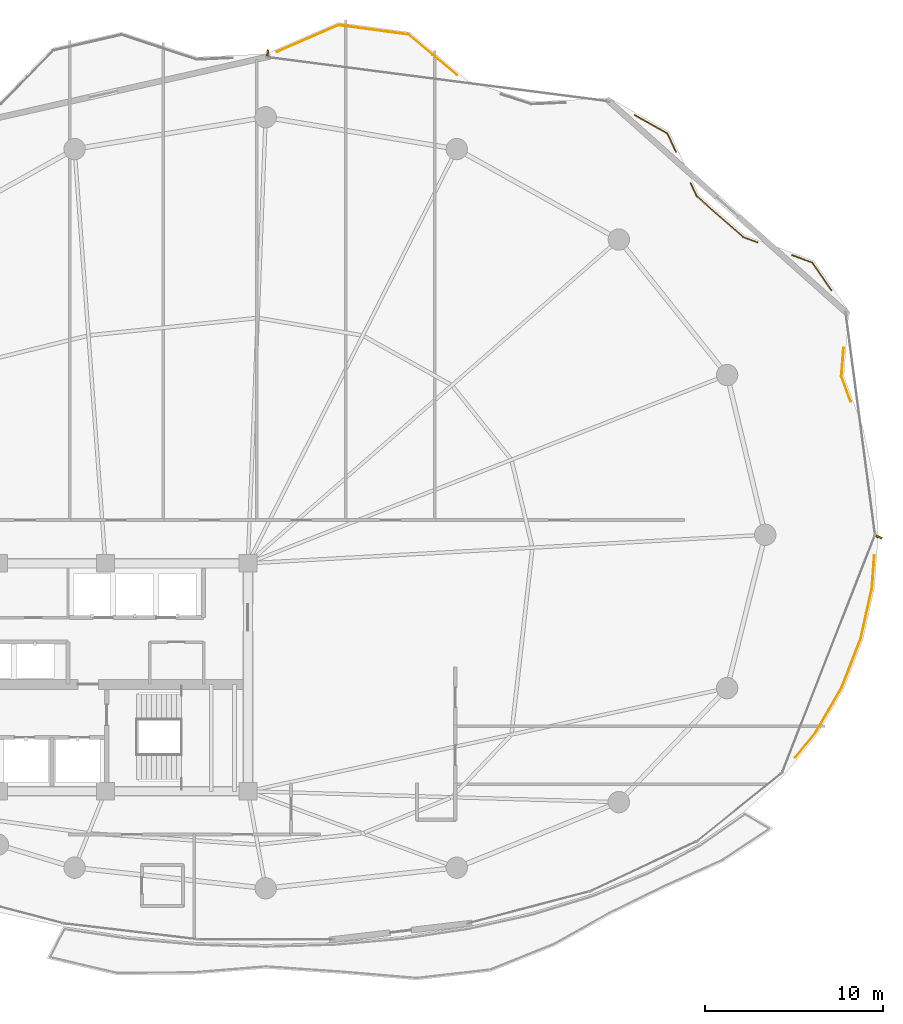
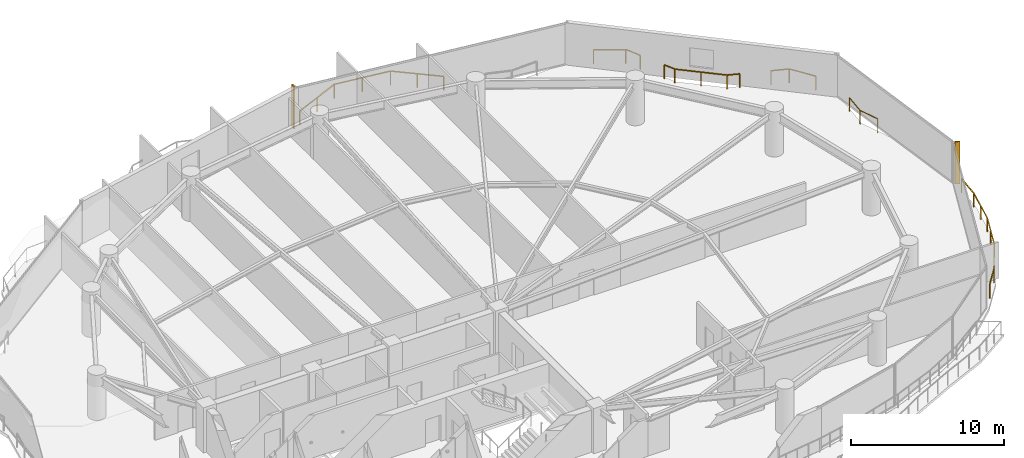
# One storey, part 33 of 33: 6 railings, 2 shading devices.
"""IFC4 building model written with IfcOpenShell, lengths in metres."""

import ifcopenshell
import ifcopenshell.guid

model = None  # the IFC model being written
_history = None  # IfcOwnerHistory: only IFC2X3 demands one
_inside = {}  # id of a spatial element -> (the spatial element, [elements in it])
_under = {}  # id of a project, library or spatial element -> (it, [spatial elements below it])
_declared = {}  # id of a project -> (the project, [libraries it declares])
_typed = {}  # id of a type object -> (the type object, [elements of that type])
_made_of = {}  # id of a material, layer set ... -> (it, [elements and type objects made of it])


def new_model(schema):
    """Start an empty IFC model of exactly this schema.

    Asked for "IFC4X3", IfcOpenShell would pick the latest addendum, in which some entities
    have other attributes; the version numbers below select the first issue.
    IFC2X3 requires an IfcOwnerHistory on every rooted entity: one is made here for all.
    """
    global model, _history
    if schema == "IFC4X3":
        model = ifcopenshell.file(schema_version=(4, 3, 0, 0))
    else:
        model = ifcopenshell.file(schema=schema)
    _inside.clear()
    _under.clear()
    _declared.clear()
    _typed.clear()
    _made_of.clear()
    _history = None
    if model.schema == "IFC2X3":
        org = make("IfcOrganization", Name="unknown")
        user = make(
            "IfcPersonAndOrganization",
            ThePerson=make("IfcPerson", FamilyName="unknown"),
            TheOrganization=org,
        )
        app = make(
            "IfcApplication",
            ApplicationDeveloper=org,
            Version="unknown",
            ApplicationFullName="unknown",
            ApplicationIdentifier="unknown",
        )
        _history = make(
            "IfcOwnerHistory",
            OwningUser=user,
            OwningApplication=app,
            ChangeAction="ADDED",
            CreationDate=0,
        )
    return model


def make(cls, **values):
    """One entity of the class cls with the attributes given. An attribute that is None is left unset."""
    return model.create_entity(
        cls, **{name: value for name, value in values.items() if value is not None}
    )


def rooted(cls, **values):
    """An entity with a GlobalId (a new one), such as an element, a storey or a relation."""
    return make(cls, GlobalId=ifcopenshell.guid.new(), OwnerHistory=_history, **values)


def si_unit(unit_type, name, prefix=None):
    """IfcSIUnit, for example si_unit("LENGTHUNIT", "METRE", prefix="MILLI")."""
    return make("IfcSIUnit", UnitType=unit_type, Prefix=prefix, Name=name)


def assignment(units):
    """IfcUnitAssignment: the units of a project."""
    return None if units is None else make("IfcUnitAssignment", Units=units)


def point(xyz):
    """IfcCartesianPoint."""
    return None if xyz is None else make("IfcCartesianPoint", Coordinates=xyz)


def direction(xyz):
    """IfcDirection."""
    return None if xyz is None else make("IfcDirection", DirectionRatios=xyz)


def frame(location, z_axis=None, x_axis=None):
    """IfcAxis2Placement3D, a coordinate frame: its origin and axes. An axis left out is left unset."""
    return make(
        "IfcAxis2Placement3D",
        Location=point(location),
        Axis=direction(z_axis),
        RefDirection=direction(x_axis),
    )


def frame_2d(location, x_axis=None):
    """IfcAxis2Placement2D, a coordinate frame in the plane: its origin and x axis."""
    return make(
        "IfcAxis2Placement2D", Location=point(location), RefDirection=direction(x_axis)
    )


def origin():
    """The frame at (0, 0, 0) with its axes left unset."""
    return frame((0.0, 0.0, 0.0))


def origin_2d():
    """The frame at (0, 0) in the plane with its x axis left unset."""
    return frame_2d((0.0, 0.0))


def place(relative_to, where):
    """IfcLocalPlacement: puts the frame where relative to a parent placement (None: the world)."""
    return make(
        "IfcLocalPlacement", PlacementRelTo=relative_to, RelativePlacement=where
    )


def context(
    kind, dimensions, precision=None, world=None, true_north=None, identifier=None
):
    """IfcGeometricRepresentationContext, for example the 3D "Model" context."""
    return make(
        "IfcGeometricRepresentationContext",
        ContextIdentifier=identifier,
        ContextType=kind,
        CoordinateSpaceDimension=dimensions,
        Precision=precision,
        WorldCoordinateSystem=world,
        TrueNorth=true_north,
    )


def subcontext(parent, identifier, kind, view, scale=None):
    """IfcGeometricRepresentationSubContext, for example "Body" below "Model"."""
    return make(
        "IfcGeometricRepresentationSubContext",
        ContextIdentifier=identifier,
        ContextType=kind,
        ParentContext=parent,
        TargetScale=scale,
        TargetView=view,
    )


def project(units=None, contexts=None):
    """IfcProject with its units and contexts."""
    return rooted(
        "IfcProject",
        Name="project",
        RepresentationContexts=contexts,
        UnitsInContext=assignment(units),
    )


def spatial(cls, under=None, at=None, **own):
    """A site, building, storey or space (cls), placed at a placement, below another one or the project."""
    s = rooted(cls, ObjectPlacement=at, **own)
    if under is not None:
        _under.setdefault(under.id(), (under, []))[1].append(s)
    return s


def profile(cls, at=None, kind="AREA", **sizes):
    """A parametric profile (cls). Its sizes go by their IFC names, for example OverallWidth=200.0."""
    return make(cls, ProfileType=kind, Position=at, **sizes)


def rectangle(**sizes):
    """IfcRectangleProfileDef."""
    return profile("IfcRectangleProfileDef", **sizes)


def extrude(swept, where, along, depth):
    """IfcExtrudedAreaSolid: the profile swept, set in the frame where, extruded along a direction by depth."""
    return make(
        "IfcExtrudedAreaSolid",
        SweptArea=swept,
        Position=where,
        ExtrudedDirection=direction(along),
        Depth=depth,
    )


def shape(context_of_items, identifier, shape_type, items):
    """IfcShapeRepresentation: the items that make up one representation, for example the "Body"."""
    return make(
        "IfcShapeRepresentation",
        ContextOfItems=context_of_items,
        RepresentationIdentifier=identifier,
        RepresentationType=shape_type,
        Items=items,
    )


def material(Name=None, Category=None):
    """IfcMaterial."""
    return make("IfcMaterial", Name=Name, Category=Category)


def made_of(thing, what):
    """Note that an element or type object is made of a material, layer set ...; save() writes the relation."""
    if what is not None:
        _made_of.setdefault(what.id(), (what, []))[1].append(thing)
    return thing


def type_object(cls, material=None, **own):
    """A type object (cls), such as IfcWallType, which elements share."""
    return made_of(rooted(cls, **own), material)


def element(
    cls,
    number,
    at=None,
    inside=None,
    cuts=None,
    type_object=None,
    material=None,
    context=None,
    identifier="Body",
    shape_type=None,
    held_by="IfcProductDefinitionShape",
    body=None,
    shapes=None,
    **own,
):
    """One element of the class cls, such as IfcWall. Its Tag is "e" and its number.

    at: its placement. inside: the storey or other place that contains it. cuts: it is an
    opening in that element (IfcRelVoidsElement). A single representation is given by context,
    identifier, shape_type and body (its items); several are given by shapes. held_by: the class
    of the entity that holds the representations. save() writes the other relations.
    """
    e = rooted(cls, Tag="e%d" % number, ObjectPlacement=at, **own)
    if body is not None:
        shapes = [shape(context, identifier, shape_type, body)]
    if shapes is not None:
        e.Representation = make(held_by, Representations=shapes)
    if inside is not None:
        _inside.setdefault(inside.id(), (inside, []))[1].append(e)
    if cuts is not None:
        rooted(
            "IfcRelVoidsElement", RelatingBuildingElement=cuts, RelatedOpeningElement=e
        )
    if type_object is not None:
        _typed.setdefault(type_object.id(), (type_object, []))[1].append(e)
    return made_of(e, material)


def aggregate(whole, parts):
    """IfcRelAggregates: a whole, such as a stair, and the parts it consists of."""
    return rooted("IfcRelAggregates", RelatingObject=whole, RelatedObjects=parts)


def save(model, path):
    """Write the relations noted so far, then the file.

    IfcRelAggregates (storeys below a building ...), IfcRelContainedInSpatialStructure (elements
    in a storey), IfcRelDefinesByType, IfcRelAssociatesMaterial and IfcRelDeclares: one each for
    every whole, place, type object, material and project.
    """
    for whole, parts in _under.values():
        aggregate(whole, parts)
    for where, things in _inside.values():
        rooted(
            "IfcRelContainedInSpatialStructure",
            RelatedElements=things,
            RelatingStructure=where,
        )
    for kind, things in _typed.values():
        rooted("IfcRelDefinesByType", RelatedObjects=things, RelatingType=kind)
    for what, things in _made_of.values():
        rooted("IfcRelAssociatesMaterial", RelatedObjects=things, RelatingMaterial=what)
    for by, libraries in _declared.values():
        rooted("IfcRelDeclares", RelatingContext=by, RelatedDefinitions=libraries)
    model.write(path)


model = new_model("IFC4")

# Units and contexts
model_context = context("Model", 3, precision=1e-05, world=origin(), true_north=direction((0.0, 1.0)))
body_context = subcontext(model_context, "Body", "Model", "MODEL_VIEW")
ifc_project = project(units=[si_unit("LENGTHUNIT", "METRE"), si_unit("AREAUNIT", "SQUARE_METRE"), si_unit("VOLUMEUNIT", "CUBIC_METRE"), si_unit("PLANEANGLEUNIT", "RADIAN"), si_unit("MASSUNIT", "GRAM", prefix="KILO")], contexts=[model_context])

# Site, building, storey
site_placement = place(None, origin())
site = spatial("IfcSite", under=ifc_project, at=site_placement, CompositionType="ELEMENT")
building_placement = place(site_placement, origin())
building = spatial("IfcBuilding", under=site, at=building_placement, Name="Kazevale Care Tower and Concert Hall", CompositionType="ELEMENT")
storey_placement = place(building_placement, frame((0.0, 0.0, 149.39990234375)))
storey = spatial("IfcBuildingStorey", under=building, at=storey_placement, Name="L39", CompositionType="ELEMENT", Elevation=149.39990234375)

# Railings
ifc_material_1 = material(Name="Anodised Bronze Aluminium and Laminated Glass", Category="aluminium")
railing_type = type_object("IfcRailingType", Name="Balcony and Terrace Balustrade 1120", PredefinedType="BALUSTRADE", material=ifc_material_1)
railing_1_placement = place(storey_placement, frame((45.64404296875, 65.126953125, 0.0)))
element("IfcRailing", 1, at=railing_1_placement, inside=storey, type_object=railing_type, Name="rail:L39:perim:6", PredefinedType="BALUSTRADE", context=body_context, shape_type="SweptSolid", body=[
    extrude(rectangle(XDim=0.048095703125, YDim=0.048095703125, at=origin_2d()), frame((0.0, 0.0, 1.09619140625), z_axis=(0.917187785413, 0.398455224949, 0.0), x_axis=(-0.398455224949, 0.917187785413, 0.0)), (0.0, 0.0, 1.0), 3.757080078125),
    extrude(rectangle(XDim=0.048095703125, YDim=0.048095703125, at=origin_2d()), frame((3.446044921875, 1.4970703125, 1.09619140625), z_axis=(0.990974581197, -0.134049913915, 0.0), x_axis=(0.134049913915, 0.990974581197, 0.0)), (0.0, 0.0, 1.0), 3.975830078125),
    extrude(rectangle(XDim=0.048095703125, YDim=0.048095703125, at=origin_2d()), frame((7.385986328125, 0.964111328125, 1.09619140625), z_axis=(0.766816144639, -0.641866808863, 0.0), x_axis=(0.641866808863, 0.766816144639, 0.0)), (0.0, 0.0, 1.0), 3.53662109375),
    extrude(rectangle(XDim=0.0419921875, YDim=0.0419921875, at=origin_2d()), origin(), (0.0, 0.0, 1.0), 1.072021484375),
    extrude(rectangle(XDim=0.0419921875, YDim=0.0419921875, at=origin_2d()), frame((1.72314453125, 0.74853515625, 0.0)), (0.0, 0.0, 1.0), 1.072021484375),
    extrude(rectangle(XDim=0.0419921875, YDim=0.0419921875, at=origin_2d()), frame((3.446044921875, 1.4970703125, 0.0)), (0.0, 0.0, 1.0), 1.072021484375),
    extrude(rectangle(XDim=0.0419921875, YDim=0.0419921875, at=origin_2d()), frame((5.416015625, 1.23046875, 0.0)), (0.0, 0.0, 1.0), 1.072021484375),
    extrude(rectangle(XDim=0.0419921875, YDim=0.0419921875, at=origin_2d()), frame((7.385986328125, 0.964111328125, 0.0)), (0.0, 0.0, 1.0), 1.072021484375),
    extrude(rectangle(XDim=0.0419921875, YDim=0.0419921875, at=origin_2d()), frame((8.741943359375, -0.1708984375, 0.0)), (0.0, 0.0, 1.0), 1.072021484375),
    extrude(rectangle(XDim=0.0419921875, YDim=0.0419921875, at=origin_2d()), frame((10.097900390625, -1.305908203125, 0.0)), (0.0, 0.0, 1.0), 1.072021484375),
])
railing_2_placement = place(storey_placement, frame((65.718994140625, 61.572021484375, 0.0)))
element("IfcRailing", 2, at=railing_2_placement, inside=storey, type_object=railing_type, Name="rail:L39:perim:8", PredefinedType="BALUSTRADE", context=body_context, shape_type="SweptSolid", body=[
    extrude(rectangle(XDim=0.048095703125, YDim=0.048095703125, at=origin_2d()), frame((0.0, 0.0, 1.09619140625), z_axis=(0.870597317313, -0.491996251092, 0.0), x_axis=(0.491996251092, 0.870597317313, 0.0)), (0.0, 0.0, 1.0), 2.10986328125),
    extrude(rectangle(XDim=0.048095703125, YDim=0.048095703125, at=origin_2d()), frame((1.8369140625, -1.0380859375, 1.09619140625), z_axis=(0.425040298366, -0.905174427812, 0.0), x_axis=(0.905174427812, 0.425040298366, 0.0)), (0.0, 0.0, 1.0), 1.134521484375),
    extrude(rectangle(XDim=0.0419921875, YDim=0.0419921875, at=origin_2d()), origin(), (0.0, 0.0, 1.0), 1.072021484375),
    extrude(rectangle(XDim=0.0419921875, YDim=0.0419921875, at=origin_2d()), frame((1.8369140625, -1.0380859375, 0.0)), (0.0, 0.0, 1.0), 1.072021484375),
    extrude(rectangle(XDim=0.0419921875, YDim=0.0419921875, at=origin_2d()), frame((2.319091796875, -2.06494140625, 0.0)), (0.0, 0.0, 1.0), 1.072021484375),
])
railing_3_placement = place(storey_placement, frame((68.85693359375, 57.760009765625, 0.0)))
element("IfcRailing", 3, at=railing_3_placement, inside=storey, type_object=railing_type, Name="rail:L39:perim:9", PredefinedType="BALUSTRADE", context=body_context, shape_type="SweptSolid", body=[
    extrude(rectangle(XDim=0.048095703125, YDim=0.048095703125, at=origin_2d()), frame((0.0, 0.0, 1.09619140625), z_axis=(0.42407317981, -0.905627924794, 0.0), x_axis=(0.905627924794, 0.42407317981, 0.0)), (0.0, 0.0, 1.0), 0.83251953125),
    extrude(rectangle(XDim=0.048095703125, YDim=0.048095703125, at=origin_2d()), frame((0.35302734375, -0.75390625, 1.09619140625), z_axis=(0.751344255412, -0.65991045594, 0.0), x_axis=(0.65991045594, 0.751344255412, 0.0)), (0.0, 0.0, 1.0), 3.4765625),
    extrude(rectangle(XDim=0.048095703125, YDim=0.048095703125, at=origin_2d()), frame((2.965087890625, -3.048095703125, 1.09619140625), z_axis=(0.938403352722, -0.345541817439, 0.0), x_axis=(0.345541817439, 0.938403352722, 0.0)), (0.0, 0.0, 1.0), 0.830078125),
    extrude(rectangle(XDim=0.0419921875, YDim=0.0419921875, at=origin_2d()), origin(), (0.0, 0.0, 1.0), 1.072021484375),
    extrude(rectangle(XDim=0.0419921875, YDim=0.0419921875, at=origin_2d()), frame((0.35302734375, -0.75390625, 0.0)), (0.0, 0.0, 1.0), 1.072021484375),
    extrude(rectangle(XDim=0.0419921875, YDim=0.0419921875, at=origin_2d()), frame((1.6591796875, -1.90087890625, 0.0)), (0.0, 0.0, 1.0), 1.072021484375),
    extrude(rectangle(XDim=0.0419921875, YDim=0.0419921875, at=origin_2d()), frame((2.965087890625, -3.048095703125, 0.0)), (0.0, 0.0, 1.0), 1.072021484375),
    extrude(rectangle(XDim=0.0419921875, YDim=0.0419921875, at=origin_2d()), frame((3.744140625, -3.3349609375, 0.0)), (0.0, 0.0, 1.0), 1.072021484375),
])
railing_4_placement = place(storey_placement, frame((74.551025390625, 53.7060546875, 0.0)))
element("IfcRailing", 4, at=railing_4_placement, inside=storey, type_object=railing_type, Name="rail:L39:perim:10", PredefinedType="BALUSTRADE", context=body_context, shape_type="SweptSolid", body=[
    extrude(rectangle(XDim=0.048095703125, YDim=0.048095703125, at=origin_2d()), frame((0.0, 0.0, 1.09619140625), z_axis=(0.938095468021, -0.346376807652, 0.0), x_axis=(0.346376807652, 0.938095468021, 0.0)), (0.0, 0.0, 1.0), 1.213134765625),
    extrude(rectangle(XDim=0.048095703125, YDim=0.048095703125, at=origin_2d()), frame((1.137939453125, -0.420166015625, 1.09619140625), z_axis=(0.570141962651, -0.821546190074, 0.0), x_axis=(0.821546190074, 0.570141962651, 0.0)), (0.0, 0.0, 1.0), 1.892578125),
    extrude(rectangle(XDim=0.0419921875, YDim=0.0419921875, at=origin_2d()), origin(), (0.0, 0.0, 1.0), 1.072021484375),
    extrude(rectangle(XDim=0.0419921875, YDim=0.0419921875, at=origin_2d()), frame((1.137939453125, -0.420166015625, 0.0)), (0.0, 0.0, 1.0), 1.072021484375),
    extrude(rectangle(XDim=0.0419921875, YDim=0.0419921875, at=origin_2d()), frame((2.217041015625, -1.97509765625, 0.0)), (0.0, 0.0, 1.0), 1.072021484375),
])
railing_5_placement = place(storey_placement, frame((79.176025390625, 36.844970703125, 0.0)))
element("IfcRailing", 5, at=railing_5_placement, inside=storey, type_object=railing_type, Name="rail:L39:perim:11", PredefinedType="BALUSTRADE", context=body_context, shape_type="SweptSolid", body=[
    extrude(rectangle(XDim=0.048095703125, YDim=0.048095703125, at=origin_2d()), frame((0.0, 0.0, 1.09619140625), z_axis=(-0.071578588161, -0.997434963151, 0.0), x_axis=(0.997434963151, -0.071578588161, 0.0)), (0.0, 0.0, 1.0), 1.83154296875),
    extrude(rectangle(XDim=0.048095703125, YDim=0.048095703125, at=origin_2d()), frame((-0.131103515625, -1.826904296875, 1.09619140625), z_axis=(-0.217745961145, -0.9760054797, 0.0), x_axis=(0.9760054797, -0.217745961145, 0.0)), (0.0, 0.0, 1.0), 2.94775390625),
    extrude(rectangle(XDim=0.048095703125, YDim=0.048095703125, at=origin_2d()), frame((-0.77294921875, -4.703857421875, 1.09619140625), z_axis=(-0.363468066155, -0.931606657815, 0.0), x_axis=(0.931606657815, -0.363468066155, 0.0)), (0.0, 0.0, 1.0), 2.91650390625),
    extrude(rectangle(XDim=0.048095703125, YDim=0.048095703125, at=origin_2d()), frame((-1.8330078125, -7.4208984375, 1.09619140625), z_axis=(-0.502610267332, -0.864513111047, 0.0), x_axis=(0.864513111047, -0.502610267332, 0.0)), (0.0, 0.0, 1.0), 2.9150390625),
    extrude(rectangle(XDim=0.048095703125, YDim=0.048095703125, at=origin_2d()), frame((-3.298095703125, -9.94091796875, 1.09619140625), z_axis=(-0.628318296441, -0.777956373043, 0.0), x_axis=(0.777956373043, -0.628318296441, 0.0)), (0.0, 0.0, 1.0), 1.812744140625),
    extrude(rectangle(XDim=0.0419921875, YDim=0.0419921875, at=origin_2d()), origin(), (0.0, 0.0, 1.0), 1.072021484375),
    extrude(rectangle(XDim=0.0419921875, YDim=0.0419921875, at=origin_2d()), frame((-0.131103515625, -1.826904296875, 0.0)), (0.0, 0.0, 1.0), 1.072021484375),
    extrude(rectangle(XDim=0.0419921875, YDim=0.0419921875, at=origin_2d()), frame((-0.4521484375, -3.265380859375, 0.0)), (0.0, 0.0, 1.0), 1.072021484375),
    extrude(rectangle(XDim=0.0419921875, YDim=0.0419921875, at=origin_2d()), frame((-0.77294921875, -4.703857421875, 0.0)), (0.0, 0.0, 1.0), 1.072021484375),
    extrude(rectangle(XDim=0.0419921875, YDim=0.0419921875, at=origin_2d()), frame((-1.302978515625, -6.0625, 0.0)), (0.0, 0.0, 1.0), 1.072021484375),
    extrude(rectangle(XDim=0.0419921875, YDim=0.0419921875, at=origin_2d()), frame((-1.8330078125, -7.4208984375, 0.0)), (0.0, 0.0, 1.0), 1.072021484375),
    extrude(rectangle(XDim=0.0419921875, YDim=0.0419921875, at=origin_2d()), frame((-2.5654296875, -8.680908203125, 0.0)), (0.0, 0.0, 1.0), 1.072021484375),
    extrude(rectangle(XDim=0.0419921875, YDim=0.0419921875, at=origin_2d()), frame((-3.298095703125, -9.94091796875, 0.0)), (0.0, 0.0, 1.0), 1.072021484375),
    extrude(rectangle(XDim=0.0419921875, YDim=0.0419921875, at=origin_2d()), frame((-4.43701171875, -11.35107421875, 0.0)), (0.0, 0.0, 1.0), 1.072021484375),
])
railing_6_placement = place(storey_placement, frame((77.449951171875, 48.488037109375, 0.0)))
element("IfcRailing", 6, at=railing_6_placement, inside=storey, type_object=railing_type, Name="rail:L39:perim:12", PredefinedType="BALUSTRADE", context=body_context, shape_type="SweptSolid", body=[
    extrude(rectangle(XDim=0.048095703125, YDim=0.048095703125, at=origin_2d()), frame((0.0, 0.0, 1.09619140625), z_axis=(-0.076544309893, -0.997066180664, 0.0), x_axis=(0.997066180664, -0.076544309893, 0.0)), (0.0, 0.0, 1.0), 1.5947265625),
    extrude(rectangle(XDim=0.048095703125, YDim=0.048095703125, at=origin_2d()), frame((-0.1220703125, -1.590087890625, 1.09619140625), z_axis=(0.344520780969, -0.938778691429, 0.0), x_axis=(0.938778691429, 0.344520780969, 0.0)), (0.0, 0.0, 1.0), 1.509521484375),
    extrude(rectangle(XDim=0.0419921875, YDim=0.0419921875, at=origin_2d()), origin(), (0.0, 0.0, 1.0), 1.072021484375),
    extrude(rectangle(XDim=0.0419921875, YDim=0.0419921875, at=origin_2d()), frame((-0.1220703125, -1.590087890625, 0.0)), (0.0, 0.0, 1.0), 1.072021484375),
    extrude(rectangle(XDim=0.0419921875, YDim=0.0419921875, at=origin_2d()), frame((0.39794921875, -3.007080078125, 0.0)), (0.0, 0.0, 1.0), 1.072021484375),
])

# Shading devices
ifc_material_2 = material(Name="Anodised Bronze Aluminium", Category="aluminium")
shading_device_type = type_object("IfcShadingDeviceType", Name="Waist Anodised Bronze-Stone Fin FIN-02", PredefinedType="USERDEFINED", material=ifc_material_2)
for number, where, z_axis, x_axis, name in (
    (7, (79.44384765625, 37.869384765625, 0.0), (0.0, 0.0, 1.0), (0.931373876365, -0.364064146031, 0.0), "cw:L39:f01:fin"),
    (8, (45.109130859375, 65.05615234375, 0.0), (0.0, 0.0, 1.0), (0.12827634114, 0.991738463661, 0.0), "cw:L39:f16:fin"),
):
    element("IfcShadingDevice", number, at=place(storey_placement, frame(where, z_axis=z_axis, x_axis=x_axis)), inside=storey, type_object=shading_device_type, Name=name, ObjectType="FIN", PredefinedType="USERDEFINED", context=body_context, shape_type="SweptSolid", body=[
        extrude(rectangle(XDim=0.340087890625, YDim=0.10009765625, at=origin_2d()), origin(), (0.0, 0.0, 1.0), 3.360107421875),
    ])

save(model, "model.ifc")
